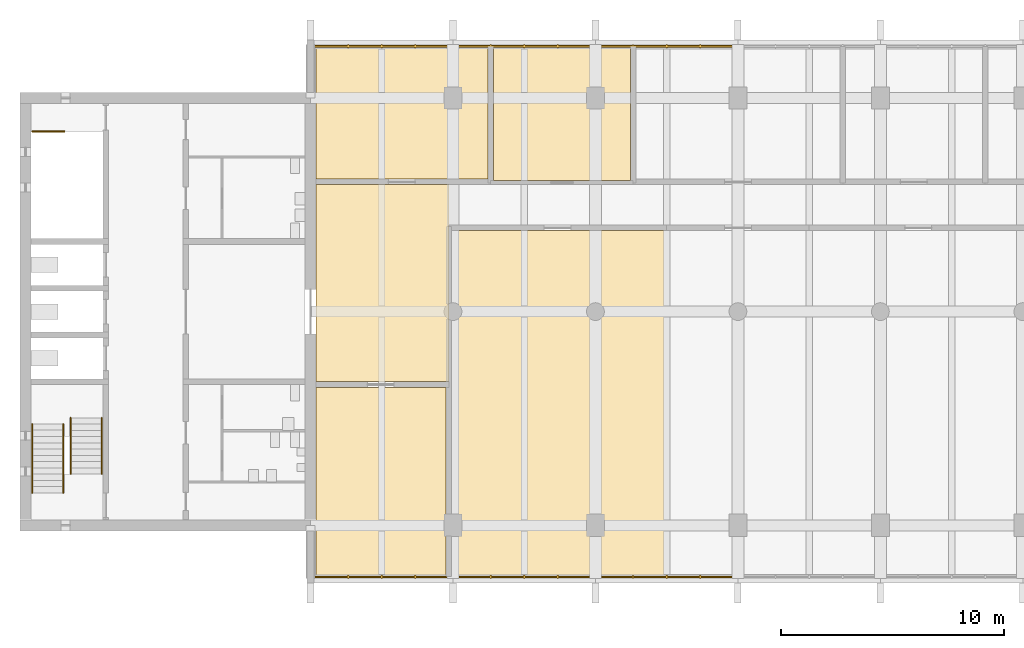
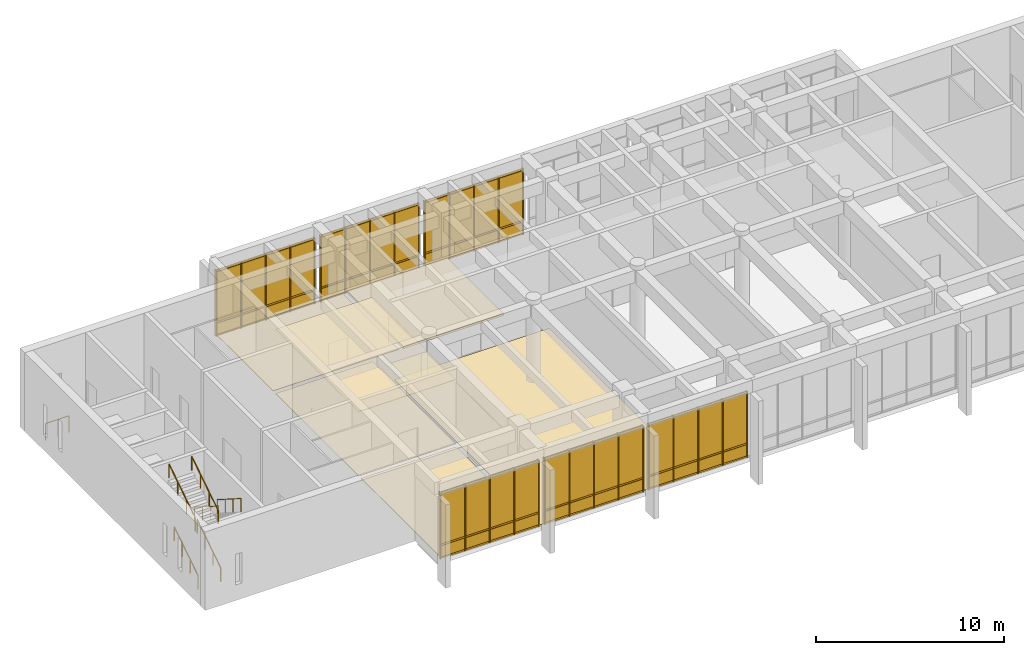
# One storey, part 8 of 10: 7 railings, 6 coverings, 6 shading devices.
"""IFC4 building model written with IfcOpenShell, lengths in metres."""

import ifcopenshell
import ifcopenshell.guid

model = None  # the IFC model being written
_history = None  # IfcOwnerHistory: only IFC2X3 demands one
_inside = {}  # id of a spatial element -> (the spatial element, [elements in it])
_under = {}  # id of a project, library or spatial element -> (it, [spatial elements below it])
_declared = {}  # id of a project -> (the project, [libraries it declares])
_typed = {}  # id of a type object -> (the type object, [elements of that type])
_made_of = {}  # id of a material, layer set ... -> (it, [elements and type objects made of it])


def new_model(schema):
    """Start an empty IFC model of exactly this schema.

    Asked for "IFC4X3", IfcOpenShell would pick the latest addendum, in which some entities
    have other attributes; the version numbers below select the first issue.
    IFC2X3 requires an IfcOwnerHistory on every rooted entity: one is made here for all.
    """
    global model, _history
    if schema == "IFC4X3":
        model = ifcopenshell.file(schema_version=(4, 3, 0, 0))
    else:
        model = ifcopenshell.file(schema=schema)
    _inside.clear()
    _under.clear()
    _declared.clear()
    _typed.clear()
    _made_of.clear()
    _history = None
    if model.schema == "IFC2X3":
        org = make("IfcOrganization", Name="unknown")
        user = make(
            "IfcPersonAndOrganization",
            ThePerson=make("IfcPerson", FamilyName="unknown"),
            TheOrganization=org,
        )
        app = make(
            "IfcApplication",
            ApplicationDeveloper=org,
            Version="unknown",
            ApplicationFullName="unknown",
            ApplicationIdentifier="unknown",
        )
        _history = make(
            "IfcOwnerHistory",
            OwningUser=user,
            OwningApplication=app,
            ChangeAction="ADDED",
            CreationDate=0,
        )
    return model


def make(cls, **values):
    """One entity of the class cls with the attributes given. An attribute that is None is left unset."""
    return model.create_entity(
        cls, **{name: value for name, value in values.items() if value is not None}
    )


def rooted(cls, **values):
    """An entity with a GlobalId (a new one), such as an element, a storey or a relation."""
    return make(cls, GlobalId=ifcopenshell.guid.new(), OwnerHistory=_history, **values)


def si_unit(unit_type, name, prefix=None):
    """IfcSIUnit, for example si_unit("LENGTHUNIT", "METRE", prefix="MILLI")."""
    return make("IfcSIUnit", UnitType=unit_type, Prefix=prefix, Name=name)


def assignment(units):
    """IfcUnitAssignment: the units of a project."""
    return None if units is None else make("IfcUnitAssignment", Units=units)


def point(xyz):
    """IfcCartesianPoint."""
    return None if xyz is None else make("IfcCartesianPoint", Coordinates=xyz)


def direction(xyz):
    """IfcDirection."""
    return None if xyz is None else make("IfcDirection", DirectionRatios=xyz)


def frame(location, z_axis=None, x_axis=None):
    """IfcAxis2Placement3D, a coordinate frame: its origin and axes. An axis left out is left unset."""
    return make(
        "IfcAxis2Placement3D",
        Location=point(location),
        Axis=direction(z_axis),
        RefDirection=direction(x_axis),
    )


def frame_2d(location, x_axis=None):
    """IfcAxis2Placement2D, a coordinate frame in the plane: its origin and x axis."""
    return make(
        "IfcAxis2Placement2D", Location=point(location), RefDirection=direction(x_axis)
    )


def origin():
    """The frame at (0, 0, 0) with its axes left unset."""
    return frame((0.0, 0.0, 0.0))


def origin_2d():
    """The frame at (0, 0) in the plane with its x axis left unset."""
    return frame_2d((0.0, 0.0))


def place(relative_to, where):
    """IfcLocalPlacement: puts the frame where relative to a parent placement (None: the world)."""
    return make(
        "IfcLocalPlacement", PlacementRelTo=relative_to, RelativePlacement=where
    )


def context(
    kind, dimensions, precision=None, world=None, true_north=None, identifier=None
):
    """IfcGeometricRepresentationContext, for example the 3D "Model" context."""
    return make(
        "IfcGeometricRepresentationContext",
        ContextIdentifier=identifier,
        ContextType=kind,
        CoordinateSpaceDimension=dimensions,
        Precision=precision,
        WorldCoordinateSystem=world,
        TrueNorth=true_north,
    )


def subcontext(parent, identifier, kind, view, scale=None):
    """IfcGeometricRepresentationSubContext, for example "Body" below "Model"."""
    return make(
        "IfcGeometricRepresentationSubContext",
        ContextIdentifier=identifier,
        ContextType=kind,
        ParentContext=parent,
        TargetScale=scale,
        TargetView=view,
    )


def project(units=None, contexts=None):
    """IfcProject with its units and contexts."""
    return rooted(
        "IfcProject",
        Name="project",
        RepresentationContexts=contexts,
        UnitsInContext=assignment(units),
    )


def spatial(cls, under=None, at=None, **own):
    """A site, building, storey or space (cls), placed at a placement, below another one or the project."""
    s = rooted(cls, ObjectPlacement=at, **own)
    if under is not None:
        _under.setdefault(under.id(), (under, []))[1].append(s)
    return s


def polyline(points):
    """IfcPolyline through the points."""
    return make("IfcPolyline", Points=[point(p) for p in points])


def profile(cls, at=None, kind="AREA", **sizes):
    """A parametric profile (cls). Its sizes go by their IFC names, for example OverallWidth=200.0."""
    return make(cls, ProfileType=kind, Position=at, **sizes)


def rectangle(**sizes):
    """IfcRectangleProfileDef."""
    return profile("IfcRectangleProfileDef", **sizes)


def circle(**sizes):
    """IfcCircleProfileDef."""
    return profile("IfcCircleProfileDef", **sizes)


def outline(outer, holes=None, kind="AREA"):
    """IfcArbitraryClosedProfileDef: a profile drawn as a closed curve; with holes, ...WithVoids."""
    if holes is None:
        return make("IfcArbitraryClosedProfileDef", ProfileType=kind, OuterCurve=outer)
    return make(
        "IfcArbitraryProfileDefWithVoids",
        ProfileType=kind,
        OuterCurve=outer,
        InnerCurves=holes,
    )


def extrude(swept, where, along, depth):
    """IfcExtrudedAreaSolid: the profile swept, set in the frame where, extruded along a direction by depth."""
    return make(
        "IfcExtrudedAreaSolid",
        SweptArea=swept,
        Position=where,
        ExtrudedDirection=direction(along),
        Depth=depth,
    )


def shape(context_of_items, identifier, shape_type, items):
    """IfcShapeRepresentation: the items that make up one representation, for example the "Body"."""
    return make(
        "IfcShapeRepresentation",
        ContextOfItems=context_of_items,
        RepresentationIdentifier=identifier,
        RepresentationType=shape_type,
        Items=items,
    )


def material(Name=None, Category=None):
    """IfcMaterial."""
    return make("IfcMaterial", Name=Name, Category=Category)


def layer(
    of_material, thickness, ventilated=None, Name=None, Category=None, Priority=None
):
    """IfcMaterialLayer: one layer of a wall or slab, of a material (None: an air gap)."""
    return make(
        "IfcMaterialLayer",
        Material=of_material,
        LayerThickness=thickness,
        IsVentilated=ventilated,
        Name=Name,
        Category=Category,
        Priority=Priority,
    )


def layer_set(layers, Name=None):
    """IfcMaterialLayerSet."""
    return make("IfcMaterialLayerSet", MaterialLayers=layers, LayerSetName=Name)


def made_of(thing, what):
    """Note that an element or type object is made of a material, layer set ...; save() writes the relation."""
    if what is not None:
        _made_of.setdefault(what.id(), (what, []))[1].append(thing)
    return thing


def type_object(cls, material=None, **own):
    """A type object (cls), such as IfcWallType, which elements share."""
    return made_of(rooted(cls, **own), material)


def element(
    cls,
    number,
    at=None,
    inside=None,
    cuts=None,
    type_object=None,
    material=None,
    context=None,
    identifier="Body",
    shape_type=None,
    held_by="IfcProductDefinitionShape",
    body=None,
    shapes=None,
    **own,
):
    """One element of the class cls, such as IfcWall. Its Tag is "e" and its number.

    at: its placement. inside: the storey or other place that contains it. cuts: it is an
    opening in that element (IfcRelVoidsElement). A single representation is given by context,
    identifier, shape_type and body (its items); several are given by shapes. held_by: the class
    of the entity that holds the representations. save() writes the other relations.
    """
    e = rooted(cls, Tag="e%d" % number, ObjectPlacement=at, **own)
    if body is not None:
        shapes = [shape(context, identifier, shape_type, body)]
    if shapes is not None:
        e.Representation = make(held_by, Representations=shapes)
    if inside is not None:
        _inside.setdefault(inside.id(), (inside, []))[1].append(e)
    if cuts is not None:
        rooted(
            "IfcRelVoidsElement", RelatingBuildingElement=cuts, RelatedOpeningElement=e
        )
    if type_object is not None:
        _typed.setdefault(type_object.id(), (type_object, []))[1].append(e)
    return made_of(e, material)


def aggregate(whole, parts):
    """IfcRelAggregates: a whole, such as a stair, and the parts it consists of."""
    return rooted("IfcRelAggregates", RelatingObject=whole, RelatedObjects=parts)


def save(model, path):
    """Write the relations noted so far, then the file.

    IfcRelAggregates (storeys below a building ...), IfcRelContainedInSpatialStructure (elements
    in a storey), IfcRelDefinesByType, IfcRelAssociatesMaterial and IfcRelDeclares: one each for
    every whole, place, type object, material and project.
    """
    for whole, parts in _under.values():
        aggregate(whole, parts)
    for where, things in _inside.values():
        rooted(
            "IfcRelContainedInSpatialStructure",
            RelatedElements=things,
            RelatingStructure=where,
        )
    for kind, things in _typed.values():
        rooted("IfcRelDefinesByType", RelatedObjects=things, RelatingType=kind)
    for what, things in _made_of.values():
        rooted("IfcRelAssociatesMaterial", RelatedObjects=things, RelatingMaterial=what)
    for by, libraries in _declared.values():
        rooted("IfcRelDeclares", RelatingContext=by, RelatedDefinitions=libraries)
    model.write(path)


model = new_model("IFC4")

# Units and contexts
model_context = context("Model", 3, precision=1e-05, world=origin(), true_north=direction((0.0, 1.0)))
body_context = subcontext(model_context, "Body", "Model", "MODEL_VIEW")
ifc_project = project(units=[si_unit("LENGTHUNIT", "METRE"), si_unit("AREAUNIT", "SQUARE_METRE"), si_unit("VOLUMEUNIT", "CUBIC_METRE"), si_unit("PLANEANGLEUNIT", "RADIAN"), si_unit("MASSUNIT", "GRAM", prefix="KILO")], contexts=[model_context])

# Site, building, storey
site_placement = place(None, origin())
site = spatial("IfcSite", under=ifc_project, at=site_placement, CompositionType="ELEMENT")
building_placement = place(site_placement, origin())
building = spatial("IfcBuilding", under=site, at=building_placement, Name="Fogon Plaza Fire Station and Headquarters Tower", CompositionType="ELEMENT")
storey_placement = place(building_placement, frame((0.0, 0.0, 64.199951171875)))
storey = spatial("IfcBuildingStorey", under=building, at=storey_placement, Name="L16", CompositionType="ELEMENT", Elevation=64.199951171875)

# Shading devices
ifc_material_1 = material(Name="Aluminium louvre", Category="aluminium")
ifc_layer_1 = layer(ifc_material_1, 0.10009765625)
ifc_layer_set_1 = layer_set([ifc_layer_1], Name="Aluminium louvre")
shading_device_type = type_object("IfcShadingDeviceType", Name="Louvred Screen Run 6100x4300", PredefinedType="JALOUSIE", material=ifc_layer_set_1)
shading_device_1_placement = place(storey_placement, frame((25.75, 31.280029296875, 0.0), z_axis=(0.0, 0.0, 1.0), x_axis=(1.0, 0.0, 0.0)))
element("IfcShadingDevice", 1, at=shading_device_1_placement, inside=storey, type_object=shading_device_type, Name="LS-6100x4300 S1 L16", PredefinedType="JALOUSIE", context=body_context, shape_type="SweptSolid", body=[
    extrude(rectangle(XDim=0.06005859375, YDim=0.159912109375, at=origin_2d()), frame((0.030029296875, 0.0, 0.0), z_axis=(0.0, 0.0, 1.0), x_axis=(1.0, 0.0, 0.0)), (0.0, 0.0, 1.0), 4.300048828125),
    extrude(rectangle(XDim=0.06005859375, YDim=0.159912109375, at=origin_2d()), frame((1.5400390625, 0.0, 0.0), z_axis=(0.0, 0.0, 1.0), x_axis=(1.0, 0.0, 0.0)), (0.0, 0.0, 1.0), 4.300048828125),
    extrude(rectangle(XDim=0.06005859375, YDim=0.159912109375, at=origin_2d()), frame((3.050048828125, 0.0, 0.0), z_axis=(0.0, 0.0, 1.0), x_axis=(1.0, 0.0, 0.0)), (0.0, 0.0, 1.0), 4.300048828125),
    extrude(rectangle(XDim=0.06005859375, YDim=0.159912109375, at=origin_2d()), frame((4.56005859375, 0.0, 0.0), z_axis=(0.0, 0.0, 1.0), x_axis=(1.0, 0.0, 0.0)), (0.0, 0.0, 1.0), 4.300048828125),
    extrude(rectangle(XDim=0.06005859375, YDim=0.159912109375, at=origin_2d()), frame((6.070068359375, 0.0, 0.0), z_axis=(0.0, 0.0, 1.0), x_axis=(1.0, 0.0, 0.0)), (0.0, 0.0, 1.0), 4.300048828125),
    extrude(rectangle(XDim=0.1201171875, YDim=0.06005859375, at=origin_2d()), frame((0.0, 0.0, 0.06005859375), z_axis=(1.0, 0.0, 0.0), x_axis=(0.0, 0.0, 1.0)), (0.0, 0.0, 1.0), 6.10009765625),
    extrude(rectangle(XDim=0.1201171875, YDim=0.06005859375, at=origin_2d()), frame((0.0, 0.0, 0.900146484375), z_axis=(1.0, 0.0, 0.0), x_axis=(0.0, 0.0, 1.0)), (0.0, 0.0, 1.0), 6.10009765625),
    extrude(rectangle(XDim=0.1201171875, YDim=0.06005859375, at=origin_2d()), frame((0.0, 0.0, 4.239990234375), z_axis=(1.0, 0.0, 0.0), x_axis=(0.0, 0.0, 1.0)), (0.0, 0.0, 1.0), 6.10009765625),
    extrude(rectangle(XDim=1.449951171875, YDim=0.10009765625, at=origin_2d()), frame((0.78515625, 0.0, 0.1201171875), z_axis=(0.0, 0.0, 1.0), x_axis=(1.0, 0.0, 0.0)), (0.0, 0.0, 1.0), 0.719970703125),
    extrude(rectangle(XDim=1.449951171875, YDim=0.10009765625, at=origin_2d()), frame((0.78515625, 0.0, 0.9599609375), z_axis=(0.0, 0.0, 1.0), x_axis=(1.0, 0.0, 0.0)), (0.0, 0.0, 1.0), 3.219970703125),
    extrude(rectangle(XDim=1.449951171875, YDim=0.10009765625, at=origin_2d()), frame((2.294921875, 0.0, 0.1201171875), z_axis=(0.0, 0.0, 1.0), x_axis=(1.0, 0.0, 0.0)), (0.0, 0.0, 1.0), 0.719970703125),
    extrude(rectangle(XDim=1.449951171875, YDim=0.10009765625, at=origin_2d()), frame((2.294921875, 0.0, 0.9599609375), z_axis=(0.0, 0.0, 1.0), x_axis=(1.0, 0.0, 0.0)), (0.0, 0.0, 1.0), 3.219970703125),
    extrude(rectangle(XDim=1.449951171875, YDim=0.10009765625, at=origin_2d()), frame((3.80517578125, 0.0, 0.1201171875), z_axis=(0.0, 0.0, 1.0), x_axis=(1.0, 0.0, 0.0)), (0.0, 0.0, 1.0), 0.719970703125),
    extrude(rectangle(XDim=1.449951171875, YDim=0.10009765625, at=origin_2d()), frame((3.80517578125, 0.0, 0.9599609375), z_axis=(0.0, 0.0, 1.0), x_axis=(1.0, 0.0, 0.0)), (0.0, 0.0, 1.0), 3.219970703125),
    extrude(rectangle(XDim=1.449951171875, YDim=0.10009765625, at=origin_2d()), frame((5.31494140625, 0.0, 0.1201171875), z_axis=(0.0, 0.0, 1.0), x_axis=(1.0, 0.0, 0.0)), (0.0, 0.0, 1.0), 0.719970703125),
    extrude(rectangle(XDim=1.449951171875, YDim=0.10009765625, at=origin_2d()), frame((5.31494140625, 0.0, 0.9599609375), z_axis=(0.0, 0.0, 1.0), x_axis=(1.0, 0.0, 0.0)), (0.0, 0.0, 1.0), 3.219970703125),
])
shading_device_2_placement = place(storey_placement, frame((32.14990234375, 31.280029296875, 0.0), z_axis=(0.0, 0.0, 1.0), x_axis=(1.0, 0.0, 0.0)))
element("IfcShadingDevice", 2, at=shading_device_2_placement, inside=storey, type_object=shading_device_type, Name="LS-6100x4300 S2 L16", PredefinedType="JALOUSIE", context=body_context, shape_type="SweptSolid", body=[
    extrude(rectangle(XDim=0.06005859375, YDim=0.159912109375, at=origin_2d()), frame((0.030029296875, 0.0, 0.0), z_axis=(0.0, 0.0, 1.0), x_axis=(1.0, 0.0, 0.0)), (0.0, 0.0, 1.0), 4.300048828125),
    extrude(rectangle(XDim=0.06005859375, YDim=0.159912109375, at=origin_2d()), frame((1.5400390625, 0.0, 0.0), z_axis=(0.0, 0.0, 1.0), x_axis=(1.0, 0.0, 0.0)), (0.0, 0.0, 1.0), 4.300048828125),
    extrude(rectangle(XDim=0.06005859375, YDim=0.159912109375, at=origin_2d()), frame((3.050048828125, 0.0, 0.0), z_axis=(0.0, 0.0, 1.0), x_axis=(1.0, 0.0, 0.0)), (0.0, 0.0, 1.0), 4.300048828125),
    extrude(rectangle(XDim=0.06005859375, YDim=0.159912109375, at=origin_2d()), frame((4.56005859375, 0.0, 0.0), z_axis=(0.0, 0.0, 1.0), x_axis=(1.0, 0.0, 0.0)), (0.0, 0.0, 1.0), 4.300048828125),
    extrude(rectangle(XDim=0.06005859375, YDim=0.159912109375, at=origin_2d()), frame((6.070068359375, 0.0, 0.0), z_axis=(0.0, 0.0, 1.0), x_axis=(1.0, 0.0, 0.0)), (0.0, 0.0, 1.0), 4.300048828125),
    extrude(rectangle(XDim=0.1201171875, YDim=0.06005859375, at=origin_2d()), frame((0.0, 0.0, 0.06005859375), z_axis=(1.0, 0.0, 0.0), x_axis=(0.0, 0.0, 1.0)), (0.0, 0.0, 1.0), 6.10009765625),
    extrude(rectangle(XDim=0.1201171875, YDim=0.06005859375, at=origin_2d()), frame((0.0, 0.0, 0.900146484375), z_axis=(1.0, 0.0, 0.0), x_axis=(0.0, 0.0, 1.0)), (0.0, 0.0, 1.0), 6.10009765625),
    extrude(rectangle(XDim=0.1201171875, YDim=0.06005859375, at=origin_2d()), frame((0.0, 0.0, 4.239990234375), z_axis=(1.0, 0.0, 0.0), x_axis=(0.0, 0.0, 1.0)), (0.0, 0.0, 1.0), 6.10009765625),
    extrude(rectangle(XDim=1.449951171875, YDim=0.10009765625, at=origin_2d()), frame((0.78515625, 0.0, 0.1201171875), z_axis=(0.0, 0.0, 1.0), x_axis=(1.0, 0.0, 0.0)), (0.0, 0.0, 1.0), 0.719970703125),
    extrude(rectangle(XDim=1.449951171875, YDim=0.10009765625, at=origin_2d()), frame((0.78515625, 0.0, 0.9599609375), z_axis=(0.0, 0.0, 1.0), x_axis=(1.0, 0.0, 0.0)), (0.0, 0.0, 1.0), 3.219970703125),
    extrude(rectangle(XDim=1.449951171875, YDim=0.10009765625, at=origin_2d()), frame((2.294921875, 0.0, 0.1201171875), z_axis=(0.0, 0.0, 1.0), x_axis=(1.0, 0.0, 0.0)), (0.0, 0.0, 1.0), 0.719970703125),
    extrude(rectangle(XDim=1.449951171875, YDim=0.10009765625, at=origin_2d()), frame((2.294921875, 0.0, 0.9599609375), z_axis=(0.0, 0.0, 1.0), x_axis=(1.0, 0.0, 0.0)), (0.0, 0.0, 1.0), 3.219970703125),
    extrude(rectangle(XDim=1.449951171875, YDim=0.10009765625, at=origin_2d()), frame((3.80517578125, 0.0, 0.1201171875), z_axis=(0.0, 0.0, 1.0), x_axis=(1.0, 0.0, 0.0)), (0.0, 0.0, 1.0), 0.719970703125),
    extrude(rectangle(XDim=1.449951171875, YDim=0.10009765625, at=origin_2d()), frame((3.80517578125, 0.0, 0.9599609375), z_axis=(0.0, 0.0, 1.0), x_axis=(1.0, 0.0, 0.0)), (0.0, 0.0, 1.0), 3.219970703125),
    extrude(rectangle(XDim=1.449951171875, YDim=0.10009765625, at=origin_2d()), frame((5.31494140625, 0.0, 0.1201171875), z_axis=(0.0, 0.0, 1.0), x_axis=(1.0, 0.0, 0.0)), (0.0, 0.0, 1.0), 0.719970703125),
    extrude(rectangle(XDim=1.449951171875, YDim=0.10009765625, at=origin_2d()), frame((5.31494140625, 0.0, 0.9599609375), z_axis=(0.0, 0.0, 1.0), x_axis=(1.0, 0.0, 0.0)), (0.0, 0.0, 1.0), 3.219970703125),
])
shading_device_3_placement = place(storey_placement, frame((38.550048828125, 31.280029296875, 0.0), z_axis=(0.0, 0.0, 1.0), x_axis=(1.0, 0.0, 0.0)))
element("IfcShadingDevice", 3, at=shading_device_3_placement, inside=storey, type_object=shading_device_type, Name="LS-6100x4300 S3 L16", PredefinedType="JALOUSIE", context=body_context, shape_type="SweptSolid", body=[
    extrude(rectangle(XDim=0.06005859375, YDim=0.159912109375, at=origin_2d()), frame((0.030029296875, 0.0, 0.0), z_axis=(0.0, 0.0, 1.0), x_axis=(1.0, 0.0, 0.0)), (0.0, 0.0, 1.0), 4.300048828125),
    extrude(rectangle(XDim=0.06005859375, YDim=0.159912109375, at=origin_2d()), frame((1.5400390625, 0.0, 0.0), z_axis=(0.0, 0.0, 1.0), x_axis=(1.0, 0.0, 0.0)), (0.0, 0.0, 1.0), 4.300048828125),
    extrude(rectangle(XDim=0.06005859375, YDim=0.159912109375, at=origin_2d()), frame((3.050048828125, 0.0, 0.0), z_axis=(0.0, 0.0, 1.0), x_axis=(1.0, 0.0, 0.0)), (0.0, 0.0, 1.0), 4.300048828125),
    extrude(rectangle(XDim=0.06005859375, YDim=0.159912109375, at=origin_2d()), frame((4.56005859375, 0.0, 0.0), z_axis=(0.0, 0.0, 1.0), x_axis=(1.0, 0.0, 0.0)), (0.0, 0.0, 1.0), 4.300048828125),
    extrude(rectangle(XDim=0.06005859375, YDim=0.159912109375, at=origin_2d()), frame((6.070068359375, 0.0, 0.0), z_axis=(0.0, 0.0, 1.0), x_axis=(1.0, 0.0, 0.0)), (0.0, 0.0, 1.0), 4.300048828125),
    extrude(rectangle(XDim=0.1201171875, YDim=0.06005859375, at=origin_2d()), frame((0.0, 0.0, 0.06005859375), z_axis=(1.0, 0.0, 0.0), x_axis=(0.0, 0.0, 1.0)), (0.0, 0.0, 1.0), 6.099853515625),
    extrude(rectangle(XDim=0.1201171875, YDim=0.06005859375, at=origin_2d()), frame((0.0, 0.0, 0.900146484375), z_axis=(1.0, 0.0, 0.0), x_axis=(0.0, 0.0, 1.0)), (0.0, 0.0, 1.0), 6.099853515625),
    extrude(rectangle(XDim=0.1201171875, YDim=0.06005859375, at=origin_2d()), frame((0.0, 0.0, 4.239990234375), z_axis=(1.0, 0.0, 0.0), x_axis=(0.0, 0.0, 1.0)), (0.0, 0.0, 1.0), 6.099853515625),
    extrude(rectangle(XDim=1.449951171875, YDim=0.10009765625, at=origin_2d()), frame((0.78515625, 0.0, 0.1201171875), z_axis=(0.0, 0.0, 1.0), x_axis=(1.0, 0.0, 0.0)), (0.0, 0.0, 1.0), 0.719970703125),
    extrude(rectangle(XDim=1.449951171875, YDim=0.10009765625, at=origin_2d()), frame((0.78515625, 0.0, 0.9599609375), z_axis=(0.0, 0.0, 1.0), x_axis=(1.0, 0.0, 0.0)), (0.0, 0.0, 1.0), 3.219970703125),
    extrude(rectangle(XDim=1.449951171875, YDim=0.10009765625, at=origin_2d()), frame((2.294921875, 0.0, 0.1201171875), z_axis=(0.0, 0.0, 1.0), x_axis=(1.0, 0.0, 0.0)), (0.0, 0.0, 1.0), 0.719970703125),
    extrude(rectangle(XDim=1.449951171875, YDim=0.10009765625, at=origin_2d()), frame((2.294921875, 0.0, 0.9599609375), z_axis=(0.0, 0.0, 1.0), x_axis=(1.0, 0.0, 0.0)), (0.0, 0.0, 1.0), 3.219970703125),
    extrude(rectangle(XDim=1.449951171875, YDim=0.10009765625, at=origin_2d()), frame((3.80517578125, 0.0, 0.1201171875), z_axis=(0.0, 0.0, 1.0), x_axis=(1.0, 0.0, 0.0)), (0.0, 0.0, 1.0), 0.719970703125),
    extrude(rectangle(XDim=1.449951171875, YDim=0.10009765625, at=origin_2d()), frame((3.80517578125, 0.0, 0.9599609375), z_axis=(0.0, 0.0, 1.0), x_axis=(1.0, 0.0, 0.0)), (0.0, 0.0, 1.0), 3.219970703125),
    extrude(rectangle(XDim=1.449951171875, YDim=0.10009765625, at=origin_2d()), frame((5.31494140625, 0.0, 0.1201171875), z_axis=(0.0, 0.0, 1.0), x_axis=(1.0, 0.0, 0.0)), (0.0, 0.0, 1.0), 0.719970703125),
    extrude(rectangle(XDim=1.449951171875, YDim=0.10009765625, at=origin_2d()), frame((5.31494140625, 0.0, 0.9599609375), z_axis=(0.0, 0.0, 1.0), x_axis=(1.0, 0.0, 0.0)), (0.0, 0.0, 1.0), 3.219970703125),
])
shading_device_4_placement = place(storey_placement, frame((25.75, 55.1201171875, 0.0), z_axis=(0.0, 0.0, 1.0), x_axis=(1.0, 0.0, 0.0)))
element("IfcShadingDevice", 4, at=shading_device_4_placement, inside=storey, type_object=shading_device_type, Name="LS-6100x4300 N1 L16", PredefinedType="JALOUSIE", context=body_context, shape_type="SweptSolid", body=[
    extrude(rectangle(XDim=0.06005859375, YDim=0.159912109375, at=origin_2d()), frame((0.030029296875, 0.0, 0.0), z_axis=(0.0, 0.0, 1.0), x_axis=(1.0, 0.0, 0.0)), (0.0, 0.0, 1.0), 4.300048828125),
    extrude(rectangle(XDim=0.06005859375, YDim=0.159912109375, at=origin_2d()), frame((1.5400390625, 0.0, 0.0), z_axis=(0.0, 0.0, 1.0), x_axis=(1.0, 0.0, 0.0)), (0.0, 0.0, 1.0), 4.300048828125),
    extrude(rectangle(XDim=0.06005859375, YDim=0.159912109375, at=origin_2d()), frame((3.050048828125, 0.0, 0.0), z_axis=(0.0, 0.0, 1.0), x_axis=(1.0, 0.0, 0.0)), (0.0, 0.0, 1.0), 4.300048828125),
    extrude(rectangle(XDim=0.06005859375, YDim=0.159912109375, at=origin_2d()), frame((4.56005859375, 0.0, 0.0), z_axis=(0.0, 0.0, 1.0), x_axis=(1.0, 0.0, 0.0)), (0.0, 0.0, 1.0), 4.300048828125),
    extrude(rectangle(XDim=0.06005859375, YDim=0.159912109375, at=origin_2d()), frame((6.070068359375, 0.0, 0.0), z_axis=(0.0, 0.0, 1.0), x_axis=(1.0, 0.0, 0.0)), (0.0, 0.0, 1.0), 4.300048828125),
    extrude(rectangle(XDim=0.1201171875, YDim=0.06005859375, at=origin_2d()), frame((0.0, 0.0, 0.06005859375), z_axis=(1.0, 0.0, 0.0), x_axis=(0.0, 0.0, 1.0)), (0.0, 0.0, 1.0), 6.10009765625),
    extrude(rectangle(XDim=0.1201171875, YDim=0.06005859375, at=origin_2d()), frame((0.0, 0.0, 0.900146484375), z_axis=(1.0, 0.0, 0.0), x_axis=(0.0, 0.0, 1.0)), (0.0, 0.0, 1.0), 6.10009765625),
    extrude(rectangle(XDim=0.1201171875, YDim=0.06005859375, at=origin_2d()), frame((0.0, 0.0, 4.239990234375), z_axis=(1.0, 0.0, 0.0), x_axis=(0.0, 0.0, 1.0)), (0.0, 0.0, 1.0), 6.10009765625),
    extrude(rectangle(XDim=1.449951171875, YDim=0.10009765625, at=origin_2d()), frame((0.78515625, 0.0, 0.1201171875), z_axis=(0.0, 0.0, 1.0), x_axis=(1.0, 0.0, 0.0)), (0.0, 0.0, 1.0), 0.719970703125),
    extrude(rectangle(XDim=1.449951171875, YDim=0.10009765625, at=origin_2d()), frame((0.78515625, 0.0, 0.9599609375), z_axis=(0.0, 0.0, 1.0), x_axis=(1.0, 0.0, 0.0)), (0.0, 0.0, 1.0), 3.219970703125),
    extrude(rectangle(XDim=1.449951171875, YDim=0.10009765625, at=origin_2d()), frame((2.294921875, 0.0, 0.1201171875), z_axis=(0.0, 0.0, 1.0), x_axis=(1.0, 0.0, 0.0)), (0.0, 0.0, 1.0), 0.719970703125),
    extrude(rectangle(XDim=1.449951171875, YDim=0.10009765625, at=origin_2d()), frame((2.294921875, 0.0, 0.9599609375), z_axis=(0.0, 0.0, 1.0), x_axis=(1.0, 0.0, 0.0)), (0.0, 0.0, 1.0), 3.219970703125),
    extrude(rectangle(XDim=1.449951171875, YDim=0.10009765625, at=origin_2d()), frame((3.80517578125, 0.0, 0.1201171875), z_axis=(0.0, 0.0, 1.0), x_axis=(1.0, 0.0, 0.0)), (0.0, 0.0, 1.0), 0.719970703125),
    extrude(rectangle(XDim=1.449951171875, YDim=0.10009765625, at=origin_2d()), frame((3.80517578125, 0.0, 0.9599609375), z_axis=(0.0, 0.0, 1.0), x_axis=(1.0, 0.0, 0.0)), (0.0, 0.0, 1.0), 3.219970703125),
    extrude(rectangle(XDim=1.449951171875, YDim=0.10009765625, at=origin_2d()), frame((5.31494140625, 0.0, 0.1201171875), z_axis=(0.0, 0.0, 1.0), x_axis=(1.0, 0.0, 0.0)), (0.0, 0.0, 1.0), 0.719970703125),
    extrude(rectangle(XDim=1.449951171875, YDim=0.10009765625, at=origin_2d()), frame((5.31494140625, 0.0, 0.9599609375), z_axis=(0.0, 0.0, 1.0), x_axis=(1.0, 0.0, 0.0)), (0.0, 0.0, 1.0), 3.219970703125),
])
shading_device_5_placement = place(storey_placement, frame((32.14990234375, 55.1201171875, 0.0), z_axis=(0.0, 0.0, 1.0), x_axis=(1.0, 0.0, 0.0)))
element("IfcShadingDevice", 5, at=shading_device_5_placement, inside=storey, type_object=shading_device_type, Name="LS-6100x4300 N2 L16", PredefinedType="JALOUSIE", context=body_context, shape_type="SweptSolid", body=[
    extrude(rectangle(XDim=0.06005859375, YDim=0.159912109375, at=origin_2d()), frame((0.030029296875, 0.0, 0.0), z_axis=(0.0, 0.0, 1.0), x_axis=(1.0, 0.0, 0.0)), (0.0, 0.0, 1.0), 4.300048828125),
    extrude(rectangle(XDim=0.06005859375, YDim=0.159912109375, at=origin_2d()), frame((1.5400390625, 0.0, 0.0), z_axis=(0.0, 0.0, 1.0), x_axis=(1.0, 0.0, 0.0)), (0.0, 0.0, 1.0), 4.300048828125),
    extrude(rectangle(XDim=0.06005859375, YDim=0.159912109375, at=origin_2d()), frame((3.050048828125, 0.0, 0.0), z_axis=(0.0, 0.0, 1.0), x_axis=(1.0, 0.0, 0.0)), (0.0, 0.0, 1.0), 4.300048828125),
    extrude(rectangle(XDim=0.06005859375, YDim=0.159912109375, at=origin_2d()), frame((4.56005859375, 0.0, 0.0), z_axis=(0.0, 0.0, 1.0), x_axis=(1.0, 0.0, 0.0)), (0.0, 0.0, 1.0), 4.300048828125),
    extrude(rectangle(XDim=0.06005859375, YDim=0.159912109375, at=origin_2d()), frame((6.070068359375, 0.0, 0.0), z_axis=(0.0, 0.0, 1.0), x_axis=(1.0, 0.0, 0.0)), (0.0, 0.0, 1.0), 4.300048828125),
    extrude(rectangle(XDim=0.1201171875, YDim=0.06005859375, at=origin_2d()), frame((0.0, 0.0, 0.06005859375), z_axis=(1.0, 0.0, 0.0), x_axis=(0.0, 0.0, 1.0)), (0.0, 0.0, 1.0), 6.10009765625),
    extrude(rectangle(XDim=0.1201171875, YDim=0.06005859375, at=origin_2d()), frame((0.0, 0.0, 0.900146484375), z_axis=(1.0, 0.0, 0.0), x_axis=(0.0, 0.0, 1.0)), (0.0, 0.0, 1.0), 6.10009765625),
    extrude(rectangle(XDim=0.1201171875, YDim=0.06005859375, at=origin_2d()), frame((0.0, 0.0, 4.239990234375), z_axis=(1.0, 0.0, 0.0), x_axis=(0.0, 0.0, 1.0)), (0.0, 0.0, 1.0), 6.10009765625),
    extrude(rectangle(XDim=1.449951171875, YDim=0.10009765625, at=origin_2d()), frame((0.78515625, 0.0, 0.1201171875), z_axis=(0.0, 0.0, 1.0), x_axis=(1.0, 0.0, 0.0)), (0.0, 0.0, 1.0), 0.719970703125),
    extrude(rectangle(XDim=1.449951171875, YDim=0.10009765625, at=origin_2d()), frame((0.78515625, 0.0, 0.9599609375), z_axis=(0.0, 0.0, 1.0), x_axis=(1.0, 0.0, 0.0)), (0.0, 0.0, 1.0), 3.219970703125),
    extrude(rectangle(XDim=1.449951171875, YDim=0.10009765625, at=origin_2d()), frame((2.294921875, 0.0, 0.1201171875), z_axis=(0.0, 0.0, 1.0), x_axis=(1.0, 0.0, 0.0)), (0.0, 0.0, 1.0), 0.719970703125),
    extrude(rectangle(XDim=1.449951171875, YDim=0.10009765625, at=origin_2d()), frame((2.294921875, 0.0, 0.9599609375), z_axis=(0.0, 0.0, 1.0), x_axis=(1.0, 0.0, 0.0)), (0.0, 0.0, 1.0), 3.219970703125),
    extrude(rectangle(XDim=1.449951171875, YDim=0.10009765625, at=origin_2d()), frame((3.80517578125, 0.0, 0.1201171875), z_axis=(0.0, 0.0, 1.0), x_axis=(1.0, 0.0, 0.0)), (0.0, 0.0, 1.0), 0.719970703125),
    extrude(rectangle(XDim=1.449951171875, YDim=0.10009765625, at=origin_2d()), frame((3.80517578125, 0.0, 0.9599609375), z_axis=(0.0, 0.0, 1.0), x_axis=(1.0, 0.0, 0.0)), (0.0, 0.0, 1.0), 3.219970703125),
    extrude(rectangle(XDim=1.449951171875, YDim=0.10009765625, at=origin_2d()), frame((5.31494140625, 0.0, 0.1201171875), z_axis=(0.0, 0.0, 1.0), x_axis=(1.0, 0.0, 0.0)), (0.0, 0.0, 1.0), 0.719970703125),
    extrude(rectangle(XDim=1.449951171875, YDim=0.10009765625, at=origin_2d()), frame((5.31494140625, 0.0, 0.9599609375), z_axis=(0.0, 0.0, 1.0), x_axis=(1.0, 0.0, 0.0)), (0.0, 0.0, 1.0), 3.219970703125),
])
shading_device_6_placement = place(storey_placement, frame((38.550048828125, 55.1201171875, 0.0), z_axis=(0.0, 0.0, 1.0), x_axis=(1.0, 0.0, 0.0)))
element("IfcShadingDevice", 6, at=shading_device_6_placement, inside=storey, type_object=shading_device_type, Name="LS-6100x4300 N3 L16", PredefinedType="JALOUSIE", context=body_context, shape_type="SweptSolid", body=[
    extrude(rectangle(XDim=0.06005859375, YDim=0.159912109375, at=origin_2d()), frame((0.030029296875, 0.0, 0.0), z_axis=(0.0, 0.0, 1.0), x_axis=(1.0, 0.0, 0.0)), (0.0, 0.0, 1.0), 4.300048828125),
    extrude(rectangle(XDim=0.06005859375, YDim=0.159912109375, at=origin_2d()), frame((1.5400390625, 0.0, 0.0), z_axis=(0.0, 0.0, 1.0), x_axis=(1.0, 0.0, 0.0)), (0.0, 0.0, 1.0), 4.300048828125),
    extrude(rectangle(XDim=0.06005859375, YDim=0.159912109375, at=origin_2d()), frame((3.050048828125, 0.0, 0.0), z_axis=(0.0, 0.0, 1.0), x_axis=(1.0, 0.0, 0.0)), (0.0, 0.0, 1.0), 4.300048828125),
    extrude(rectangle(XDim=0.06005859375, YDim=0.159912109375, at=origin_2d()), frame((4.56005859375, 0.0, 0.0), z_axis=(0.0, 0.0, 1.0), x_axis=(1.0, 0.0, 0.0)), (0.0, 0.0, 1.0), 4.300048828125),
    extrude(rectangle(XDim=0.06005859375, YDim=0.159912109375, at=origin_2d()), frame((6.070068359375, 0.0, 0.0), z_axis=(0.0, 0.0, 1.0), x_axis=(1.0, 0.0, 0.0)), (0.0, 0.0, 1.0), 4.300048828125),
    extrude(rectangle(XDim=0.1201171875, YDim=0.06005859375, at=origin_2d()), frame((0.0, 0.0, 0.06005859375), z_axis=(1.0, 0.0, 0.0), x_axis=(0.0, 0.0, 1.0)), (0.0, 0.0, 1.0), 6.099853515625),
    extrude(rectangle(XDim=0.1201171875, YDim=0.06005859375, at=origin_2d()), frame((0.0, 0.0, 0.900146484375), z_axis=(1.0, 0.0, 0.0), x_axis=(0.0, 0.0, 1.0)), (0.0, 0.0, 1.0), 6.099853515625),
    extrude(rectangle(XDim=0.1201171875, YDim=0.06005859375, at=origin_2d()), frame((0.0, 0.0, 4.239990234375), z_axis=(1.0, 0.0, 0.0), x_axis=(0.0, 0.0, 1.0)), (0.0, 0.0, 1.0), 6.099853515625),
    extrude(rectangle(XDim=1.449951171875, YDim=0.10009765625, at=origin_2d()), frame((0.78515625, 0.0, 0.1201171875), z_axis=(0.0, 0.0, 1.0), x_axis=(1.0, 0.0, 0.0)), (0.0, 0.0, 1.0), 0.719970703125),
    extrude(rectangle(XDim=1.449951171875, YDim=0.10009765625, at=origin_2d()), frame((0.78515625, 0.0, 0.9599609375), z_axis=(0.0, 0.0, 1.0), x_axis=(1.0, 0.0, 0.0)), (0.0, 0.0, 1.0), 3.219970703125),
    extrude(rectangle(XDim=1.449951171875, YDim=0.10009765625, at=origin_2d()), frame((2.294921875, 0.0, 0.1201171875), z_axis=(0.0, 0.0, 1.0), x_axis=(1.0, 0.0, 0.0)), (0.0, 0.0, 1.0), 0.719970703125),
    extrude(rectangle(XDim=1.449951171875, YDim=0.10009765625, at=origin_2d()), frame((2.294921875, 0.0, 0.9599609375), z_axis=(0.0, 0.0, 1.0), x_axis=(1.0, 0.0, 0.0)), (0.0, 0.0, 1.0), 3.219970703125),
    extrude(rectangle(XDim=1.449951171875, YDim=0.10009765625, at=origin_2d()), frame((3.80517578125, 0.0, 0.1201171875), z_axis=(0.0, 0.0, 1.0), x_axis=(1.0, 0.0, 0.0)), (0.0, 0.0, 1.0), 0.719970703125),
    extrude(rectangle(XDim=1.449951171875, YDim=0.10009765625, at=origin_2d()), frame((3.80517578125, 0.0, 0.9599609375), z_axis=(0.0, 0.0, 1.0), x_axis=(1.0, 0.0, 0.0)), (0.0, 0.0, 1.0), 3.219970703125),
    extrude(rectangle(XDim=1.449951171875, YDim=0.10009765625, at=origin_2d()), frame((5.31494140625, 0.0, 0.1201171875), z_axis=(0.0, 0.0, 1.0), x_axis=(1.0, 0.0, 0.0)), (0.0, 0.0, 1.0), 0.719970703125),
    extrude(rectangle(XDim=1.449951171875, YDim=0.10009765625, at=origin_2d()), frame((5.31494140625, 0.0, 0.9599609375), z_axis=(0.0, 0.0, 1.0), x_axis=(1.0, 0.0, 0.0)), (0.0, 0.0, 1.0), 3.219970703125),
])

# Railings
ifc_material_2 = material(Name="Steel", Category="steel")
railing_type_1 = type_object("IfcRailingType", Name="Stair Guard 1100", PredefinedType="GUARDRAIL", material=ifc_material_2)
railing_placement = place(storey_placement, frame((13.10009765625, 51.2900390625, 0.0)))
element("IfcRailing", 7, at=railing_placement, inside=storey, type_object=railing_type_1, Name="Guard ST2", PredefinedType="GUARDRAIL", context=body_context, shape_type="SweptSolid", body=[
    extrude(circle(Radius=0.02392578125, at=origin_2d()), frame((0.0, 0.0, 1.076171875), z_axis=(1.0, 0.0, 0.0), x_axis=(0.0, 1.0, 0.0)), (0.0, 0.0, 1.0), 1.449951171875),
    extrude(circle(Radius=0.02099609375, at=origin_2d()), origin(), (0.0, 0.0, 1.0), 1.052001953125),
    extrude(circle(Radius=0.02099609375, at=origin_2d()), frame((0.72509765625, 0.0, 0.0)), (0.0, 0.0, 1.0), 1.052001953125),
    extrude(circle(Radius=0.02099609375, at=origin_2d()), frame((1.449951171875, 0.0, 0.0)), (0.0, 0.0, 1.0), 1.052001953125),
])
ifc_material_3 = material(Name="Steel", Category="steel")
railing_type_2 = type_object("IfcRailingType", Name="Stair Handrail 900", PredefinedType="HANDRAIL", material=ifc_material_3)
for number, where, name in (
    (8, (13.10009765625, 35.06005859375, 0.178466796875), "Handrail ST1"),
    (9, (14.5, 35.06005859375, 0.178466796875), "Handrail ST1"),
):
    element("IfcRailing", number, at=place(storey_placement, frame(where)), inside=storey, type_object=railing_type_2, Name=name, PredefinedType="HANDRAIL", context=body_context, shape_type="SweptSolid", body=[
        extrude(circle(Radius=0.02392578125, at=origin_2d()), frame((0.0, 0.0, 0.8759765625), z_axis=(0.0, 0.843385493151, 0.53730895204), x_axis=(-1.0, 0.0, 0.0)), (0.0, 0.0, 1.0), 2.988037109375),
        extrude(circle(Radius=0.02099609375, at=origin_2d()), origin(), (0.0, 0.0, 1.0), 0.851806640625),
        extrude(circle(Radius=0.02099609375, at=origin_2d()), frame((0.0, 0.840087890625, 0.53515625)), (0.0, 0.0, 1.0), 0.851806640625),
        extrude(circle(Radius=0.02099609375, at=origin_2d()), frame((0.0, 1.679931640625, 1.0703125)), (0.0, 0.0, 1.0), 0.851806640625),
        extrude(circle(Radius=0.02099609375, at=origin_2d()), frame((0.0, 2.52001953125, 1.60546875)), (0.0, 0.0, 1.0), 0.851806640625),
    ])
for number, where, name in (
    (10, (16.22509765625, 38.425048828125, 1.96240234375), "Handrail ST1"),
    (11, (14.824951171875, 38.425048828125, 1.96240234375), "Handrail ST1"),
):
    element("IfcRailing", number, at=place(storey_placement, frame(where)), inside=storey, type_object=railing_type_2, Name=name, PredefinedType="HANDRAIL", context=body_context, shape_type="SweptSolid", body=[
        extrude(circle(Radius=0.02392578125, at=origin_2d()), frame((0.0, 0.0, 0.8759765625), z_axis=(0.0, -0.843385493151, 0.53730895204), x_axis=(1.0, 0.0, 0.0)), (0.0, 0.0, 1.0), 2.988037109375),
        extrude(circle(Radius=0.02099609375, at=origin_2d()), origin(), (0.0, 0.0, 1.0), 0.851806640625),
        extrude(circle(Radius=0.02099609375, at=origin_2d()), frame((0.0, -0.840087890625, 0.53515625)), (0.0, 0.0, 1.0), 0.851806640625),
        extrude(circle(Radius=0.02099609375, at=origin_2d()), frame((0.0, -1.679931640625, 1.0703125)), (0.0, 0.0, 1.0), 0.851806640625),
        extrude(circle(Radius=0.02099609375, at=origin_2d()), frame((0.0, -2.52001953125, 1.60546875)), (0.0, 0.0, 1.0), 0.851806640625),
    ])
for number, where, name in (
    (12, (13.10009765625, 35.35009765625, 3.74609375), "Handrail ST1"),
    (13, (14.5, 35.35009765625, 3.74609375), "Handrail ST1"),
):
    element("IfcRailing", number, at=place(storey_placement, frame(where)), inside=storey, type_object=railing_type_2, Name=name, PredefinedType="HANDRAIL", context=body_context, shape_type="SweptSolid", body=[
        extrude(circle(Radius=0.02392578125, at=origin_2d()), frame((0.0, 0.0, 0.8759765625), z_axis=(0.0, 0.843355511396, 0.537356009921), x_axis=(-1.0, 0.0, 0.0)), (0.0, 0.0, 1.0), 3.31982421875),
        extrude(circle(Radius=0.02099609375, at=origin_2d()), origin(), (0.0, 0.0, 1.0), 0.851806640625),
        extrude(circle(Radius=0.02099609375, at=origin_2d()), frame((0.0, 0.933349609375, 0.5947265625)), (0.0, 0.0, 1.0), 0.851806640625),
        extrude(circle(Radius=0.02099609375, at=origin_2d()), frame((0.0, 1.866455078125, 1.189208984375)), (0.0, 0.0, 1.0), 0.851806640625),
        extrude(circle(Radius=0.02099609375, at=origin_2d()), frame((0.0, 2.7998046875, 1.783935546875)), (0.0, 0.0, 1.0), 0.851806640625),
    ])

# Coverings
ifc_material_4 = material(Name="Heavy duty carpet tile")
ifc_layer_2 = layer(ifc_material_4, 0.013916015625)
ifc_layer_set_2 = layer_set([ifc_layer_2], Name="Heavy duty carpet tile")
covering_type_1 = type_object("IfcCoveringType", Name="Tower corridor carpet floor", PredefinedType="FLOORING", material=ifc_layer_set_2)
covering_1_placement = place(storey_placement, origin())
element("IfcCovering", 14, at=covering_1_placement, inside=storey, type_object=covering_type_1, Name="cov-fl-L16-12", PredefinedType="FLOORING", context=body_context, shape_type="SweptSolid", body=[
    extrude(outline(polyline([(31.820068359375, 40.050048828125), (31.820068359375, 48.89990234375), (25.85009765625, 48.89990234375), (25.85009765625, 40.050048828125), (31.820068359375, 40.050048828125)])), origin(), (0.0, 0.0, 1.0), 0.01416015625),
])
ifc_material_5 = material(Name="Plasterboard ceiling")
ifc_layer_3 = layer(ifc_material_5, 0.030029296875)
ifc_layer_set_3 = layer_set([ifc_layer_3], Name="Plasterboard ceiling")
covering_type_2 = type_object("IfcCoveringType", Name="Tower plasterboard ceiling", PredefinedType="CEILING", material=ifc_layer_set_3)
covering_2_placement = place(storey_placement, frame((0.0, 0.0, 4.170166015625)))
element("IfcCovering", 15, at=covering_2_placement, inside=storey, type_object=covering_type_2, Name="cov-cl-L16-12", PredefinedType="CEILING", context=body_context, shape_type="SweptSolid", body=[
    extrude(outline(polyline([(31.820068359375, 40.050048828125), (31.820068359375, 48.89990234375), (25.85009765625, 48.89990234375), (25.85009765625, 40.050048828125), (31.820068359375, 40.050048828125)])), origin(), (0.0, 0.0, 1.0), 0.02978515625),
])
ifc_material_6 = material(Name="Raised access floor panels")
ifc_layer_4 = layer(ifc_material_6, 0.14990234375)
ifc_layer_set_4 = layer_set([ifc_layer_4], Name="Raised access floor panels")
covering_type_3 = type_object("IfcCoveringType", Name="Tower raised access floor", PredefinedType="FLOORING", material=ifc_layer_set_4)
covering_3_placement = place(storey_placement, origin())
element("IfcCovering", 16, at=covering_3_placement, inside=storey, type_object=covering_type_3, Name="cov-fl-L16-05", PredefinedType="FLOORING", context=body_context, shape_type="SweptSolid", body=[
    extrude(outline(polyline([(39.965087890625, 49.10009765625), (39.965087890625, 55.10009765625), (33.81494140625, 55.10009765625), (33.81494140625, 49.10009765625), (39.965087890625, 49.10009765625)])), origin(), (0.0, 0.0, 1.0), 0.150146484375),
])
ifc_material_7 = material(Name="Sealed cement screed")
ifc_layer_5 = layer(ifc_material_7, 0.030029296875)
ifc_layer_set_5 = layer_set([ifc_layer_5], Name="Sealed cement screed")
covering_type_4 = type_object("IfcCoveringType", Name="Tower sealed screed floor", PredefinedType="FLOORING", material=ifc_layer_set_5)
covering_4_placement = place(storey_placement, origin())
element("IfcCovering", 17, at=covering_4_placement, inside=storey, type_object=covering_type_4, Name="cov-fl-L16-01", PredefinedType="FLOORING", context=body_context, shape_type="SweptSolid", body=[
    extrude(outline(polyline([(41.47509765625, 31.300048828125), (41.47509765625, 46.85009765625), (31.945068359375, 46.85009765625), (31.945068359375, 31.300048828125), (41.47509765625, 31.300048828125)])), origin(), (0.0, 0.0, 1.0), 0.030029296875),
])
covering_5_placement = place(storey_placement, origin())
element("IfcCovering", 18, at=covering_5_placement, inside=storey, type_object=covering_type_4, Name="cov-fl-L16-04", PredefinedType="FLOORING", context=body_context, shape_type="SweptSolid", body=[
    extrude(outline(polyline([(33.56494140625, 49.14990234375), (33.56494140625, 55.10009765625), (25.85009765625, 55.10009765625), (25.85009765625, 49.14990234375), (33.56494140625, 49.14990234375)])), origin(), (0.0, 0.0, 1.0), 0.030029296875),
])
covering_6_placement = place(storey_placement, origin())
element("IfcCovering", 19, at=covering_6_placement, inside=storey, type_object=covering_type_4, Name="cov-fl-L16-09", PredefinedType="FLOORING", context=body_context, shape_type="SweptSolid", body=[
    extrude(outline(polyline([(31.695068359375, 31.300048828125), (31.695068359375, 39.800048828125), (25.85009765625, 39.800048828125), (25.85009765625, 31.300048828125), (31.695068359375, 31.300048828125)])), origin(), (0.0, 0.0, 1.0), 0.030029296875),
])

save(model, "model.ifc")
